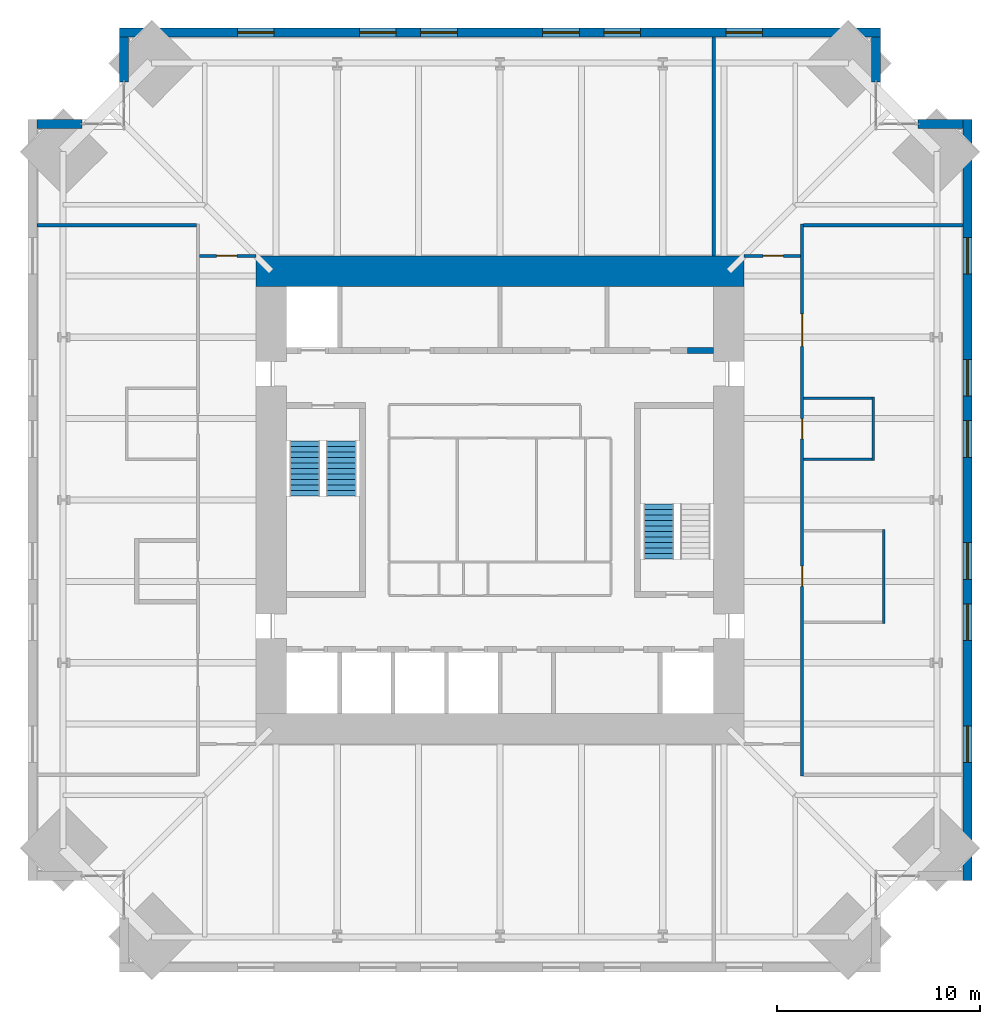
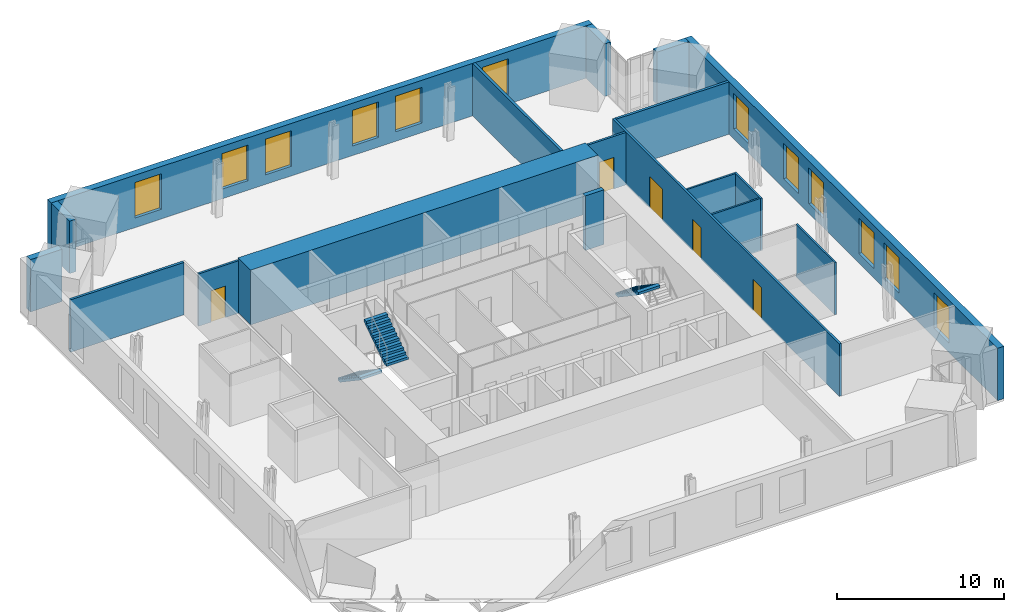
# One storey, part 13 of 15: 18 walls, 12 windows, 5 doors, 3 stair flights, 17 openings, 2 elements without a shape of their own.
"""IFC4 building model written with IfcOpenShell, lengths in metres."""

from ifc_helpers import new_model, si_unit, direction, frame, frame_2d, origin, place, context, subcontext, project, spatial, polyline, rectangle, outline, extrude, material, layer, layer_set, type_object, element, fill, aggregate, save


model = new_model("IFC4")

# Units and contexts
model_context = context("Model", 3, precision=1e-05, world=origin(), true_north=direction((0.0, 1.0)))
body_context = subcontext(model_context, "Body", "Model", "MODEL_VIEW")
ifc_project = project(units=[si_unit("LENGTHUNIT", "METRE"), si_unit("AREAUNIT", "SQUARE_METRE"), si_unit("VOLUMEUNIT", "CUBIC_METRE"), si_unit("PLANEANGLEUNIT", "RADIAN"), si_unit("MASSUNIT", "GRAM", prefix="KILO")], contexts=[model_context])

# Site, building, storey
site_placement = place(None, origin())
site = spatial("IfcSite", under=ifc_project, at=site_placement, CompositionType="ELEMENT")
building_placement = place(site_placement, origin())
building = spatial("IfcBuilding", under=site, at=building_placement, Name="Peilmerk Tower", CompositionType="ELEMENT")
storey_placement = place(building_placement, frame((0.0, 0.0, 233.800048828125)))
storey = spatial("IfcBuildingStorey", under=building, at=storey_placement, Name="L51", CompositionType="ELEMENT", Elevation=233.800048828125)

# Wall, openings, windows
ifc_material_1 = material(Name="Precast concrete C45/55, board-marked finish", Category="concrete")
ifc_layer_1 = layer(ifc_material_1, 0.449951171875)
ifc_layer_set_1 = layer_set([ifc_layer_1], Name="Precast concrete C45/55, board-marked finish")
wall_type_1 = type_object("IfcWallType", Name="EW1 450 precast concrete facade wall, board-marked", PredefinedType="SOLIDWALL", material=ifc_layer_set_1)
wall_1_placement = place(storey_placement, frame((18.699951171875, 22.97509765625, 0.0), z_axis=(0.0, 0.0, 1.0), x_axis=(-1.0, 0.0, 0.0)))
wall_1 = element("IfcWall", 1, at=wall_1_placement, inside=storey, type_object=wall_type_1, Name="Facade wall N L51", PredefinedType="SOLIDWALL", context=body_context, shape_type="SweptSolid", body=[
    extrude(rectangle(XDim=37.39990234375, YDim=0.449951171875, at=frame_2d((18.699951171875, 0.0))), origin(), (0.0, 0.0, 1.0), 3.829833984375),
])
opening_1_placement = place(wall_1_placement, frame((5.800048828125, 0.0, 0.699951171875)))
opening_1 = element("IfcOpeningElement", 2, at=opening_1_placement, cuts=wall_1, Name="Opening W1", PredefinedType="OPENING", context=body_context, shape_type="SweptSolid", body=[
    extrude(rectangle(XDim=1.800048828125, YDim=2.60009765625, at=frame_2d((0.89990234375, 1.300048828125))), frame((0.0, 0.23486328125, 0.0), z_axis=(0.0, -1.0, 0.0), x_axis=(1.0, 0.0, 0.0)), (0.0, 0.0, 1.0), 0.469970703125),
])
opening_2_placement = place(wall_1_placement, frame((11.800048828125, 0.0, 0.699951171875)))
opening_2 = element("IfcOpeningElement", 3, at=opening_2_placement, cuts=wall_1, Name="Opening W1", PredefinedType="OPENING", context=body_context, shape_type="SweptSolid", body=[
    extrude(rectangle(XDim=1.800048828125, YDim=2.60009765625, at=frame_2d((0.89990234375, 1.300048828125))), frame((0.0, 0.23486328125, 0.0), z_axis=(0.0, -1.0, 0.0), x_axis=(1.0, 0.0, 0.0)), (0.0, 0.0, 1.0), 0.469970703125),
])
opening_3_placement = place(wall_1_placement, frame((14.800048828125, 0.0, 0.699951171875)))
opening_3 = element("IfcOpeningElement", 4, at=opening_3_placement, cuts=wall_1, Name="Opening W1", PredefinedType="OPENING", context=body_context, shape_type="SweptSolid", body=[
    extrude(rectangle(XDim=1.800048828125, YDim=2.60009765625, at=frame_2d((0.89990234375, 1.300048828125))), frame((0.0, 0.23486328125, 0.0), z_axis=(0.0, -1.0, 0.0), x_axis=(1.0, 0.0, 0.0)), (0.0, 0.0, 1.0), 0.469970703125),
])
opening_4_placement = place(wall_1_placement, frame((20.800048828125, 0.0, 0.699951171875)))
opening_4 = element("IfcOpeningElement", 5, at=opening_4_placement, cuts=wall_1, Name="Opening W1", PredefinedType="OPENING", context=body_context, shape_type="SweptSolid", body=[
    extrude(rectangle(XDim=1.800048828125, YDim=2.60009765625, at=frame_2d((0.89990234375, 1.300048828125))), frame((0.0, 0.23486328125, 0.0), z_axis=(0.0, -1.0, 0.0), x_axis=(1.0, 0.0, 0.0)), (0.0, 0.0, 1.0), 0.469970703125),
])
opening_5_placement = place(wall_1_placement, frame((23.800048828125, 0.0, 0.699951171875)))
opening_5 = element("IfcOpeningElement", 6, at=opening_5_placement, cuts=wall_1, Name="Opening W1", PredefinedType="OPENING", context=body_context, shape_type="SweptSolid", body=[
    extrude(rectangle(XDim=1.800048828125, YDim=2.60009765625, at=frame_2d((0.89990234375, 1.300048828125))), frame((0.0, 0.23486328125, 0.0), z_axis=(0.0, -1.0, 0.0), x_axis=(1.0, 0.0, 0.0)), (0.0, 0.0, 1.0), 0.469970703125),
])
opening_6_placement = place(wall_1_placement, frame((29.800048828125, 0.0, 0.699951171875)))
opening_6 = element("IfcOpeningElement", 7, at=opening_6_placement, cuts=wall_1, Name="Opening W1", PredefinedType="OPENING", context=body_context, shape_type="SweptSolid", body=[
    extrude(rectangle(XDim=1.800048828125, YDim=2.60009765625, at=frame_2d((0.89990234375, 1.300048828125))), frame((0.0, 0.23486328125, 0.0), z_axis=(0.0, -1.0, 0.0), x_axis=(1.0, 0.0, 0.0)), (0.0, 0.0, 1.0), 0.469970703125),
])
ifc_material_2 = material(Name="Aluminium frame, clear double glazing", Category="aluminium")
window_type = type_object("IfcWindowType", Name="W1 1800x2600 office window", PartitioningType="SINGLE_PANEL", PredefinedType="WINDOW", material=ifc_material_2)
window_1_placement = place(opening_1_placement, origin())
window_1 = element("IfcWindow", 8, at=window_1_placement, inside=storey, type_object=window_type, Name="Window W1 L51", OverallHeight=2.60009765625, OverallWidth=1.800048828125, PartitioningType="SINGLE_PANEL", PredefinedType="WINDOW", context=body_context, shape_type="SweptSolid", body=[
    extrude(rectangle(XDim=1.800048828125, YDim=2.60009765625, at=frame_2d((0.89990234375, 1.300048828125))), frame((0.0, 0.030029296875, 0.0), z_axis=(0.0, -1.0, 0.0), x_axis=(1.0, 0.0, 0.0)), (0.0, 0.0, 1.0), 0.06005859375),
])
fill(opening_1, window_1)
window_2_placement = place(opening_2_placement, origin())
window_2 = element("IfcWindow", 9, at=window_2_placement, inside=storey, type_object=window_type, Name="Window W1 L51", OverallHeight=2.60009765625, OverallWidth=1.800048828125, PartitioningType="SINGLE_PANEL", PredefinedType="WINDOW", context=body_context, shape_type="SweptSolid", body=[
    extrude(rectangle(XDim=1.800048828125, YDim=2.60009765625, at=frame_2d((0.89990234375, 1.300048828125))), frame((0.0, 0.030029296875, 0.0), z_axis=(0.0, -1.0, 0.0), x_axis=(1.0, 0.0, 0.0)), (0.0, 0.0, 1.0), 0.06005859375),
])
fill(opening_2, window_2)
window_3_placement = place(opening_3_placement, origin())
window_3 = element("IfcWindow", 10, at=window_3_placement, inside=storey, type_object=window_type, Name="Window W1 L51", OverallHeight=2.60009765625, OverallWidth=1.800048828125, PartitioningType="SINGLE_PANEL", PredefinedType="WINDOW", context=body_context, shape_type="SweptSolid", body=[
    extrude(rectangle(XDim=1.800048828125, YDim=2.60009765625, at=frame_2d((0.89990234375, 1.300048828125))), frame((0.0, 0.030029296875, 0.0), z_axis=(0.0, -1.0, 0.0), x_axis=(1.0, 0.0, 0.0)), (0.0, 0.0, 1.0), 0.06005859375),
])
fill(opening_3, window_3)
window_4_placement = place(opening_4_placement, origin())
window_4 = element("IfcWindow", 11, at=window_4_placement, inside=storey, type_object=window_type, Name="Window W1 L51", OverallHeight=2.60009765625, OverallWidth=1.800048828125, PartitioningType="SINGLE_PANEL", PredefinedType="WINDOW", context=body_context, shape_type="SweptSolid", body=[
    extrude(rectangle(XDim=1.800048828125, YDim=2.60009765625, at=frame_2d((0.89990234375, 1.300048828125))), frame((0.0, 0.030029296875, 0.0), z_axis=(0.0, -1.0, 0.0), x_axis=(1.0, 0.0, 0.0)), (0.0, 0.0, 1.0), 0.06005859375),
])
fill(opening_4, window_4)
window_5_placement = place(opening_5_placement, origin())
window_5 = element("IfcWindow", 12, at=window_5_placement, inside=storey, type_object=window_type, Name="Window W1 L51", OverallHeight=2.60009765625, OverallWidth=1.800048828125, PartitioningType="SINGLE_PANEL", PredefinedType="WINDOW", context=body_context, shape_type="SweptSolid", body=[
    extrude(rectangle(XDim=1.800048828125, YDim=2.60009765625, at=frame_2d((0.89990234375, 1.300048828125))), frame((0.0, 0.030029296875, 0.0), z_axis=(0.0, -1.0, 0.0), x_axis=(1.0, 0.0, 0.0)), (0.0, 0.0, 1.0), 0.06005859375),
])
fill(opening_5, window_5)
window_6_placement = place(opening_6_placement, origin())
window_6 = element("IfcWindow", 13, at=window_6_placement, inside=storey, type_object=window_type, Name="Window W1 L51", OverallHeight=2.60009765625, OverallWidth=1.800048828125, PartitioningType="SINGLE_PANEL", PredefinedType="WINDOW", context=body_context, shape_type="SweptSolid", body=[
    extrude(rectangle(XDim=1.800048828125, YDim=2.60009765625, at=frame_2d((0.89990234375, 1.300048828125))), frame((0.0, 0.030029296875, 0.0), z_axis=(0.0, -1.0, 0.0), x_axis=(1.0, 0.0, 0.0)), (0.0, 0.0, 1.0), 0.06005859375),
])
fill(opening_6, window_6)

wall_2_placement = place(storey_placement, frame((22.97509765625, -18.699951171875, 0.0), z_axis=(0.0, 0.0, 1.0), x_axis=(0.0, 1.0, 0.0)))
wall_2 = element("IfcWall", 14, at=wall_2_placement, inside=storey, type_object=wall_type_1, Name="Facade wall E L51", PredefinedType="SOLIDWALL", context=body_context, shape_type="SweptSolid", body=[
    extrude(rectangle(XDim=37.39990234375, YDim=0.449951171875, at=frame_2d((18.699951171875, 0.0))), origin(), (0.0, 0.0, 1.0), 3.829833984375),
])
opening_7_placement = place(wall_2_placement, frame((5.800048828125, 0.0, 0.699951171875)))
opening_7 = element("IfcOpeningElement", 15, at=opening_7_placement, cuts=wall_2, Name="Opening W1", PredefinedType="OPENING", context=body_context, shape_type="SweptSolid", body=[
    extrude(rectangle(XDim=1.800048828125, YDim=2.60009765625, at=frame_2d((0.89990234375, 1.300048828125))), frame((0.0, 0.23486328125, 0.0), z_axis=(0.0, -1.0, 0.0), x_axis=(1.0, 0.0, 0.0)), (0.0, 0.0, 1.0), 0.469970703125),
])
opening_8_placement = place(wall_2_placement, frame((11.800048828125, 0.0, 0.699951171875)))
opening_8 = element("IfcOpeningElement", 16, at=opening_8_placement, cuts=wall_2, Name="Opening W1", PredefinedType="OPENING", context=body_context, shape_type="SweptSolid", body=[
    extrude(rectangle(XDim=1.800048828125, YDim=2.60009765625, at=frame_2d((0.89990234375, 1.300048828125))), frame((0.0, 0.23486328125, 0.0), z_axis=(0.0, -1.0, 0.0), x_axis=(1.0, 0.0, 0.0)), (0.0, 0.0, 1.0), 0.469970703125),
])
opening_9_placement = place(wall_2_placement, frame((14.800048828125, 0.0, 0.699951171875)))
opening_9 = element("IfcOpeningElement", 17, at=opening_9_placement, cuts=wall_2, Name="Opening W1", PredefinedType="OPENING", context=body_context, shape_type="SweptSolid", body=[
    extrude(rectangle(XDim=1.800048828125, YDim=2.60009765625, at=frame_2d((0.89990234375, 1.300048828125))), frame((0.0, 0.23486328125, 0.0), z_axis=(0.0, -1.0, 0.0), x_axis=(1.0, 0.0, 0.0)), (0.0, 0.0, 1.0), 0.469970703125),
])
opening_10_placement = place(wall_2_placement, frame((20.800048828125, 0.0, 0.699951171875)))
opening_10 = element("IfcOpeningElement", 18, at=opening_10_placement, cuts=wall_2, Name="Opening W1", PredefinedType="OPENING", context=body_context, shape_type="SweptSolid", body=[
    extrude(rectangle(XDim=1.800048828125, YDim=2.60009765625, at=frame_2d((0.89990234375, 1.300048828125))), frame((0.0, 0.23486328125, 0.0), z_axis=(0.0, -1.0, 0.0), x_axis=(1.0, 0.0, 0.0)), (0.0, 0.0, 1.0), 0.469970703125),
])
opening_11_placement = place(wall_2_placement, frame((23.800048828125, 0.0, 0.699951171875)))
opening_11 = element("IfcOpeningElement", 19, at=opening_11_placement, cuts=wall_2, Name="Opening W1", PredefinedType="OPENING", context=body_context, shape_type="SweptSolid", body=[
    extrude(rectangle(XDim=1.800048828125, YDim=2.60009765625, at=frame_2d((0.89990234375, 1.300048828125))), frame((0.0, 0.23486328125, 0.0), z_axis=(0.0, -1.0, 0.0), x_axis=(1.0, 0.0, 0.0)), (0.0, 0.0, 1.0), 0.469970703125),
])
opening_12_placement = place(wall_2_placement, frame((29.800048828125, 0.0, 0.699951171875)))
opening_12 = element("IfcOpeningElement", 20, at=opening_12_placement, cuts=wall_2, Name="Opening W1", PredefinedType="OPENING", context=body_context, shape_type="SweptSolid", body=[
    extrude(rectangle(XDim=1.800048828125, YDim=2.60009765625, at=frame_2d((0.89990234375, 1.300048828125))), frame((0.0, 0.23486328125, 0.0), z_axis=(0.0, -1.0, 0.0), x_axis=(1.0, 0.0, 0.0)), (0.0, 0.0, 1.0), 0.469970703125),
])
window_7_placement = place(opening_7_placement, origin())
window_7 = element("IfcWindow", 21, at=window_7_placement, inside=storey, type_object=window_type, Name="Window W1 L51", OverallHeight=2.60009765625, OverallWidth=1.800048828125, PartitioningType="SINGLE_PANEL", PredefinedType="WINDOW", context=body_context, shape_type="SweptSolid", body=[
    extrude(rectangle(XDim=1.800048828125, YDim=2.60009765625, at=frame_2d((0.89990234375, 1.300048828125))), frame((0.0, 0.030029296875, 0.0), z_axis=(0.0, -1.0, 0.0), x_axis=(1.0, 0.0, 0.0)), (0.0, 0.0, 1.0), 0.06005859375),
])
fill(opening_7, window_7)
window_8_placement = place(opening_8_placement, origin())
window_8 = element("IfcWindow", 22, at=window_8_placement, inside=storey, type_object=window_type, Name="Window W1 L51", OverallHeight=2.60009765625, OverallWidth=1.800048828125, PartitioningType="SINGLE_PANEL", PredefinedType="WINDOW", context=body_context, shape_type="SweptSolid", body=[
    extrude(rectangle(XDim=1.800048828125, YDim=2.60009765625, at=frame_2d((0.89990234375, 1.300048828125))), frame((0.0, 0.030029296875, 0.0), z_axis=(0.0, -1.0, 0.0), x_axis=(1.0, 0.0, 0.0)), (0.0, 0.0, 1.0), 0.06005859375),
])
fill(opening_8, window_8)
window_9_placement = place(opening_9_placement, origin())
window_9 = element("IfcWindow", 23, at=window_9_placement, inside=storey, type_object=window_type, Name="Window W1 L51", OverallHeight=2.60009765625, OverallWidth=1.800048828125, PartitioningType="SINGLE_PANEL", PredefinedType="WINDOW", context=body_context, shape_type="SweptSolid", body=[
    extrude(rectangle(XDim=1.800048828125, YDim=2.60009765625, at=frame_2d((0.89990234375, 1.300048828125))), frame((0.0, 0.030029296875, 0.0), z_axis=(0.0, -1.0, 0.0), x_axis=(1.0, 0.0, 0.0)), (0.0, 0.0, 1.0), 0.06005859375),
])
fill(opening_9, window_9)
window_10_placement = place(opening_10_placement, origin())
window_10 = element("IfcWindow", 24, at=window_10_placement, inside=storey, type_object=window_type, Name="Window W1 L51", OverallHeight=2.60009765625, OverallWidth=1.800048828125, PartitioningType="SINGLE_PANEL", PredefinedType="WINDOW", context=body_context, shape_type="SweptSolid", body=[
    extrude(rectangle(XDim=1.800048828125, YDim=2.60009765625, at=frame_2d((0.89990234375, 1.300048828125))), frame((0.0, 0.030029296875, 0.0), z_axis=(0.0, -1.0, 0.0), x_axis=(1.0, 0.0, 0.0)), (0.0, 0.0, 1.0), 0.06005859375),
])
fill(opening_10, window_10)
window_11_placement = place(opening_11_placement, origin())
window_11 = element("IfcWindow", 25, at=window_11_placement, inside=storey, type_object=window_type, Name="Window W1 L51", OverallHeight=2.60009765625, OverallWidth=1.800048828125, PartitioningType="SINGLE_PANEL", PredefinedType="WINDOW", context=body_context, shape_type="SweptSolid", body=[
    extrude(rectangle(XDim=1.800048828125, YDim=2.60009765625, at=frame_2d((0.89990234375, 1.300048828125))), frame((0.0, 0.030029296875, 0.0), z_axis=(0.0, -1.0, 0.0), x_axis=(1.0, 0.0, 0.0)), (0.0, 0.0, 1.0), 0.06005859375),
])
fill(opening_11, window_11)
window_12_placement = place(opening_12_placement, origin())
window_12 = element("IfcWindow", 26, at=window_12_placement, inside=storey, type_object=window_type, Name="Window W1 L51", OverallHeight=2.60009765625, OverallWidth=1.800048828125, PartitioningType="SINGLE_PANEL", PredefinedType="WINDOW", context=body_context, shape_type="SweptSolid", body=[
    extrude(rectangle(XDim=1.800048828125, YDim=2.60009765625, at=frame_2d((0.89990234375, 1.300048828125))), frame((0.0, 0.030029296875, 0.0), z_axis=(0.0, -1.0, 0.0), x_axis=(1.0, 0.0, 0.0)), (0.0, 0.0, 1.0), 0.06005859375),
])
fill(opening_12, window_12)

# Walls
for number, where, z_axis, x_axis, name in (
    (27, (18.47509765625, 20.5537109375, 0.0), (0.0, 0.0, 1.0), (0.0, 1.0, 0.0), "Facade wall NEA L51"),
    (28, (20.5537109375, 18.47509765625, 0.0), (0.0, 0.0, 1.0), (1.0, 0.0, 0.0), "Facade wall NEB L51"),
    (29, (-18.47509765625, 20.5537109375, 0.0), (0.0, 0.0, 1.0), (0.0, 1.0, 0.0), "Facade wall NWA L51"),
    (30, (-20.5537109375, 18.47509765625, 0.0), (0.0, 0.0, 1.0), (-1.0, 0.0, 0.0), "Facade wall NWB L51"),
):
    element("IfcWall", number, at=place(storey_placement, frame(where, z_axis=z_axis, x_axis=x_axis)), inside=storey, type_object=wall_type_1, Name=name, PredefinedType="SOLIDWALL", context=body_context, shape_type="SweptSolid", body=[
        extrude(rectangle(XDim=2.1962890625, YDim=0.449951171875, at=frame_2d((1.09814453125, 0.0))), origin(), (0.0, 0.0, 1.0), 3.829833984375),
    ])

# Wall, openings, doors
ifc_material_3 = material(Name="Calcium silicate block", Category="masonry")
ifc_layer_2 = layer(ifc_material_3, 0.14990234375)
ifc_layer_set_2 = layer_set([ifc_layer_2], Name="Calcium silicate block")
wall_type_2 = type_object("IfcWallType", Name="IW1 150 corridor partition, EI 60", PredefinedType="PARTITIONING", material=ifc_layer_set_2)
wall_3_placement = place(storey_placement, frame((14.85009765625, -13.574951171875, 0.0), z_axis=(0.0, 0.0, 1.0), x_axis=(0.0, 1.0, 0.0)))
wall_3 = element("IfcWall", 31, at=wall_3_placement, inside=storey, type_object=wall_type_2, Name="Corridor wall E L51", PredefinedType="PARTITIONING", context=body_context, shape_type="SweptSolid", body=[
    extrude(rectangle(XDim=27.14990234375, YDim=0.14990234375, at=frame_2d((13.574951171875, 0.0))), origin(), (0.0, 0.0, 1.0), 3.829833984375),
])
opening_13_placement = place(wall_3_placement, frame((21.125, 0.0, 0.0)))
opening_13 = element("IfcOpeningElement", 32, at=opening_13_placement, cuts=wall_3, Name="Opening D9", PredefinedType="OPENING", context=body_context, shape_type="SweptSolid", body=[
    extrude(rectangle(XDim=1.60009765625, YDim=2.300048828125, at=frame_2d((0.800048828125, 1.14990234375))), frame((0.0, 0.0849609375, 0.0), z_axis=(0.0, -1.0, 0.0), x_axis=(1.0, 0.0, 0.0)), (0.0, 0.0, 1.0), 0.169921875),
])
opening_14_placement = place(wall_3_placement, frame((9.324951171875, 0.0, 0.0)))
opening_14 = element("IfcOpeningElement", 33, at=opening_14_placement, cuts=wall_3, Name="Opening D1", PredefinedType="OPENING", context=body_context, shape_type="SweptSolid", body=[
    extrude(rectangle(XDim=1.0, YDim=2.300048828125, at=frame_2d((0.5, 1.14990234375))), frame((0.0, 0.0849609375, 0.0), z_axis=(0.0, -1.0, 0.0), x_axis=(1.0, 0.0, 0.0)), (0.0, 0.0, 1.0), 0.169921875),
])
opening_15_placement = place(wall_3_placement, frame((16.574951171875, 0.0, 0.0)))
opening_15 = element("IfcOpeningElement", 34, at=opening_15_placement, cuts=wall_3, Name="Opening D1", PredefinedType="OPENING", context=body_context, shape_type="SweptSolid", body=[
    extrude(rectangle(XDim=1.0, YDim=2.300048828125, at=frame_2d((0.5, 1.14990234375))), frame((0.0, 0.0849609375, 0.0), z_axis=(0.0, -1.0, 0.0), x_axis=(1.0, 0.0, 0.0)), (0.0, 0.0, 1.0), 0.169921875),
])
ifc_material_4 = material(Name="Timber door in steel frame", Category="steel")
door_type_1 = type_object("IfcDoorType", Name="D1 1000x2300 room door, EI2 30", OperationType="SINGLE_SWING_LEFT", PredefinedType="DOOR", material=ifc_material_4)
door_1_placement = place(opening_14_placement, frame((1.0, 0.0, 0.0), z_axis=(0.0, 0.0, 1.0), x_axis=(-1.0, 0.0, 0.0)))
door_1 = element("IfcDoor", 35, at=door_1_placement, inside=storey, type_object=door_type_1, Name="Door Meeting room L51", OperationType="SINGLE_SWING_LEFT", OverallHeight=2.300048828125, OverallWidth=1.0, PredefinedType="DOOR", context=body_context, shape_type="SweptSolid", body=[
    extrude(rectangle(XDim=1.0, YDim=2.300048828125, at=frame_2d((0.5, 1.14990234375))), frame((0.0, 0.02490234375, 0.0), z_axis=(0.0, -1.0, 0.0), x_axis=(1.0, 0.0, 0.0)), (0.0, 0.0, 1.0), 0.050048828125),
])
fill(opening_14, door_1)
door_2_placement = place(opening_15_placement, frame((1.0, 0.0, 0.0), z_axis=(0.0, 0.0, 1.0), x_axis=(-1.0, 0.0, 0.0)))
door_2 = element("IfcDoor", 36, at=door_2_placement, inside=storey, type_object=door_type_1, Name="Door Focus room L51", OperationType="SINGLE_SWING_LEFT", OverallHeight=2.300048828125, OverallWidth=1.0, PredefinedType="DOOR", context=body_context, shape_type="SweptSolid", body=[
    extrude(rectangle(XDim=1.0, YDim=2.300048828125, at=frame_2d((0.5, 1.14990234375))), frame((0.0, 0.02490234375, 0.0), z_axis=(0.0, -1.0, 0.0), x_axis=(1.0, 0.0, 0.0)), (0.0, 0.0, 1.0), 0.050048828125),
])
fill(opening_15, door_2)
ifc_material_5 = material(Name="Glazed timber door in steel frame", Category="steel")
door_type_2 = type_object("IfcDoorType", Name="D9 1600x2300 glazed double door, EI2 30", OperationType="DOUBLE_DOOR_SINGLE_SWING", PredefinedType="DOOR", material=ifc_material_5)
door_3_placement = place(opening_13_placement, frame((1.60009765625, 0.0, 0.0), z_axis=(0.0, 0.0, 1.0), x_axis=(-1.0, 0.0, 0.0)))
door_3 = element("IfcDoor", 37, at=door_3_placement, inside=storey, type_object=door_type_2, Name="Door Open workspace L51", OperationType="DOUBLE_DOOR_SINGLE_SWING", OverallHeight=2.300048828125, OverallWidth=1.60009765625, PredefinedType="DOOR", context=body_context, shape_type="SweptSolid", body=[
    extrude(rectangle(XDim=1.60009765625, YDim=2.300048828125, at=frame_2d((0.800048828125, 1.14990234375))), frame((0.0, 0.02490234375, 0.0), z_axis=(0.0, -1.0, 0.0), x_axis=(1.0, 0.0, 0.0)), (0.0, 0.0, 1.0), 0.050048828125),
])
fill(opening_13, door_3)

# Wall, opening, door
wall_4_placement = place(storey_placement, frame((12.0, 12.0, 0.0), z_axis=(0.0, 0.0, 1.0), x_axis=(1.0, 0.0, 0.0)))
wall_4 = element("IfcWall", 38, at=wall_4_placement, inside=storey, type_object=wall_type_2, Name="Corridor wall NE L51", PredefinedType="PARTITIONING", context=body_context, shape_type="SweptSolid", body=[
    extrude(rectangle(XDim=2.77490234375, YDim=0.14990234375, at=frame_2d((1.387451171875, 0.0))), origin(), (0.0, 0.0, 1.0), 3.829833984375),
])
opening_16_placement = place(wall_4_placement, frame((0.925048828125, 0.0, 0.0)))
opening_16 = element("IfcOpeningElement", 39, at=opening_16_placement, cuts=wall_4, Name="Opening D1", PredefinedType="OPENING", context=body_context, shape_type="SweptSolid", body=[
    extrude(rectangle(XDim=1.0, YDim=2.300048828125, at=frame_2d((0.5, 1.14990234375))), frame((0.0, 0.0849609375, 0.0), z_axis=(0.0, -1.0, 0.0), x_axis=(1.0, 0.0, 0.0)), (0.0, 0.0, 1.0), 0.169921875),
])
door_4_placement = place(opening_16_placement, origin())
door_4 = element("IfcDoor", 40, at=door_4_placement, inside=storey, type_object=door_type_1, Name="Door Open workspace L51", OperationType="SINGLE_SWING_LEFT", OverallHeight=2.300048828125, OverallWidth=1.0, PredefinedType="DOOR", context=body_context, shape_type="SweptSolid", body=[
    extrude(rectangle(XDim=1.0, YDim=2.300048828125, at=frame_2d((0.5, 1.14990234375))), frame((0.0, 0.02490234375, 0.0), z_axis=(0.0, -1.0, 0.0), x_axis=(1.0, 0.0, 0.0)), (0.0, 0.0, 1.0), 0.050048828125),
])
fill(opening_16, door_4)

wall_5_placement = place(storey_placement, frame((-14.77490234375, 12.0, 0.0), z_axis=(0.0, 0.0, 1.0), x_axis=(1.0, 0.0, 0.0)))
wall_5 = element("IfcWall", 41, at=wall_5_placement, inside=storey, type_object=wall_type_2, Name="Corridor wall NW L51", PredefinedType="PARTITIONING", context=body_context, shape_type="SweptSolid", body=[
    extrude(rectangle(XDim=2.77490234375, YDim=0.14990234375, at=frame_2d((1.387451171875, 0.0))), origin(), (0.0, 0.0, 1.0), 3.829833984375),
])
opening_17_placement = place(wall_5_placement, frame((0.85009765625, 0.0, 0.0)))
opening_17 = element("IfcOpeningElement", 42, at=opening_17_placement, cuts=wall_5, Name="Opening D1", PredefinedType="OPENING", context=body_context, shape_type="SweptSolid", body=[
    extrude(rectangle(XDim=1.0, YDim=2.300048828125, at=frame_2d((0.5, 1.14990234375))), frame((0.0, 0.0849609375, 0.0), z_axis=(0.0, -1.0, 0.0), x_axis=(1.0, 0.0, 0.0)), (0.0, 0.0, 1.0), 0.169921875),
])
door_5_placement = place(opening_17_placement, origin())
door_5 = element("IfcDoor", 43, at=door_5_placement, inside=storey, type_object=door_type_1, Name="Door Project room L51", OperationType="SINGLE_SWING_LEFT", OverallHeight=2.300048828125, OverallWidth=1.0, PredefinedType="DOOR", context=body_context, shape_type="SweptSolid", body=[
    extrude(rectangle(XDim=1.0, YDim=2.300048828125, at=frame_2d((0.5, 1.14990234375))), frame((0.0, 0.02490234375, 0.0), z_axis=(0.0, -1.0, 0.0), x_axis=(1.0, 0.0, 0.0)), (0.0, 0.0, 1.0), 0.050048828125),
])
fill(opening_17, door_5)

# Walls
ifc_material_6 = material(Name="Plasterboard on steel studs, double boarded with mineral wool", Category="steel")
ifc_layer_3 = layer(ifc_material_6, 0.125)
ifc_layer_set_3 = layer_set([ifc_layer_3], Name="Plasterboard on steel studs, double boarded with mineral wool")
wall_type_3 = type_object("IfcWallType", Name="IW7 125 acoustic partition, EI 30", PredefinedType="PARTITIONING", material=ifc_layer_set_3)
wall_6_placement = place(storey_placement, frame((18.85009765625, -6.0625, 0.0), z_axis=(0.0, 0.0, 1.0), x_axis=(0.0, 1.0, 0.0)))
element("IfcWall", 44, at=wall_6_placement, inside=storey, type_object=wall_type_3, Name="Acoustic partition Meeting room L51", PredefinedType="PARTITIONING", context=body_context, shape_type="SweptSolid", body=[
    extrude(rectangle(XDim=4.625, YDim=0.125, at=frame_2d((2.3125, 0.0))), origin(), (0.0, 0.0, 1.0), 3.829833984375),
])
wall_7_placement = place(storey_placement, frame((18.35009765625, 1.9375, 0.0), z_axis=(0.0, 0.0, 1.0), x_axis=(0.0, 1.0, 0.0)))
element("IfcWall", 45, at=wall_7_placement, inside=storey, type_object=wall_type_3, Name="Acoustic partition Focus room L51", PredefinedType="PARTITIONING", context=body_context, shape_type="SweptSolid", body=[
    extrude(rectangle(XDim=3.125, YDim=0.125, at=frame_2d((1.5625, 0.0))), origin(), (0.0, 0.0, 1.0), 3.829833984375),
])
for number, where, z_axis, x_axis, name in (
    (46, (14.925048828125, 2.0, 0.0), (0.0, 0.0, 1.0), (1.0, 0.0, 0.0), "Acoustic partition Focus room L51"),
    (47, (14.925048828125, 5.0, 0.0), (0.0, 0.0, 1.0), (1.0, 0.0, 0.0), "Acoustic partition Focus room L51"),
):
    element("IfcWall", number, at=place(storey_placement, frame(where, z_axis=z_axis, x_axis=x_axis)), inside=storey, type_object=wall_type_3, Name=name, PredefinedType="PARTITIONING", context=body_context, shape_type="SweptSolid", body=[
        extrude(rectangle(XDim=3.362548828125, YDim=0.125, at=frame_2d((1.68115234375, 0.0))), origin(), (0.0, 0.0, 1.0), 3.829833984375),
    ])
ifc_layer_4 = layer(ifc_material_3, 0.175048828125)
ifc_layer_set_4 = layer_set([ifc_layer_4], Name="Calcium silicate block")
wall_type_4 = type_object("IfcWallType", Name="IW8 175 tenant separating wall, EI 60", PredefinedType="PARTITIONING", material=ifc_layer_set_4)
for number, where, z_axis, x_axis, name in (
    (48, (14.925048828125, 13.5, 0.0), (0.0, 0.0, 1.0), (1.0, 0.0, 0.0), "Tenant separating wall NE L51"),
    (49, (-22.75, 13.5, 0.0), (0.0, 0.0, 1.0), (1.0, 0.0, 0.0), "Tenant separating wall NW L51"),
):
    element("IfcWall", number, at=place(storey_placement, frame(where, z_axis=z_axis, x_axis=x_axis)), inside=storey, type_object=wall_type_4, Name=name, PredefinedType="PARTITIONING", context=body_context, shape_type="SweptSolid", body=[
        extrude(rectangle(XDim=7.824951171875, YDim=0.175048828125, at=frame_2d((3.91259765625, 0.0))), origin(), (0.0, 0.0, 1.0), 3.829833984375),
    ])
wall_8_placement = place(storey_placement, frame((10.5, 12.0, 0.0), z_axis=(0.0, 0.0, 1.0), x_axis=(0.0, 1.0, 0.0)))
element("IfcWall", 50, at=wall_8_placement, inside=storey, type_object=wall_type_4, Name="Tenant separating wall N1 L51", PredefinedType="PARTITIONING", context=body_context, shape_type="SweptSolid", body=[
    extrude(rectangle(XDim=10.75, YDim=0.175048828125, at=frame_2d((5.375, 0.0))), origin(), (0.0, 0.0, 1.0), 3.829833984375),
])
ifc_material_7 = material(Name="Concrete C55/67", Category="concrete")
ifc_layer_5 = layer(ifc_material_7, 1.5)
ifc_layer_set_5 = layer_set([ifc_layer_5], Name="Concrete C55/67")
wall_type_5 = type_object("IfcWallType", Name="SW1 1500 core wall", PredefinedType="SHEAR", material=ifc_layer_set_5)
wall_9_placement = place(storey_placement, frame((-12.0, 11.25, 0.0), z_axis=(0.0, 0.0, 1.0), x_axis=(1.0, 0.0, 0.0)))
element("IfcWall", 51, at=wall_9_placement, inside=storey, type_object=wall_type_5, Name="Core wall N L51", PredefinedType="SHEAR", context=body_context, shape_type="SweptSolid", body=[
    extrude(rectangle(XDim=24.0, YDim=1.5, at=frame_2d((12.0, 0.0))), origin(), (0.0, 0.0, 1.0), 4.0),
])
ifc_layer_6 = layer(ifc_material_7, 0.300048828125)
ifc_layer_set_6 = layer_set([ifc_layer_6], Name="Concrete C55/67")
wall_type_6 = type_object("IfcWallType", Name="SW2 300 lift bank pier", PredefinedType="SHEAR", material=ifc_layer_set_6)
wall_10_placement = place(storey_placement, frame((9.22509765625, 7.35009765625, 0.0), z_axis=(0.0, 0.0, 1.0), x_axis=(1.0, 0.0, 0.0)))
element("IfcWall", 52, at=wall_10_placement, inside=storey, type_object=wall_type_6, Name="Lift bank pier N L51", PredefinedType="SHEAR", context=body_context, shape_type="SweptSolid", body=[
    extrude(rectangle(XDim=1.27490234375, YDim=0.300048828125, at=frame_2d((0.637451171875, 0.0))), origin(), (0.0, 0.0, 1.0), 4.0),
])

# Stair, stair flights
ifc_material_8 = material(Name="Precast concrete C45/55", Category="concrete")
stair_type_1 = type_object("IfcStairType", Name="ST1 22 risers of 181.8", PredefinedType="HALF_TURN_STAIR", material=ifc_material_8)
stair_1_placement = place(storey_placement, origin())
stair_1 = element("IfcStair", 53, at=stair_1_placement, inside=storey, type_object=stair_type_1, Name="Stair 1 L51 to L52", PredefinedType="HALF_TURN_STAIR")
stair_flight_type = type_object("IfcStairFlightType", Name="SF11 flight, 11 risers of 181.8", PredefinedType="STRAIGHT", material=ifc_material_8)
stair_flight_1_placement = place(storey_placement, frame((-9.60009765625, 2.89990234375, 0.0), z_axis=(0.0, 0.0, 1.0), x_axis=(0.0, -1.0, 0.0)))
stair_flight_1 = element("IfcStairFlight", 54, at=stair_flight_1_placement, type_object=stair_flight_type, Name="ST1 flight 1", NumberOfRisers=11, NumberOfTreads=10, PredefinedType="STRAIGHT", RiserHeight=0.181818182, TreadLength=0.27, context=body_context, shape_type="SweptSolid", body=[
    extrude(outline(polyline([(0.0, 0.0), (0.0, 0.181884765625), (0.27001953125, 0.181884765625), (0.27001953125, 0.363525390625), (0.5400390625, 0.363525390625), (0.5400390625, 0.54541015625), (0.81005859375, 0.54541015625), (0.81005859375, 0.727294921875), (1.080078125, 0.727294921875), (1.080078125, 0.9091796875), (1.35009765625, 0.9091796875), (1.35009765625, 1.0908203125), (1.6201171875, 1.0908203125), (1.6201171875, 1.272705078125), (1.889892578125, 1.272705078125), (1.889892578125, 1.45458984375), (2.159912109375, 1.45458984375), (2.159912109375, 1.636474609375), (2.429931640625, 1.636474609375), (2.429931640625, 1.818115234375), (2.699951171875, 1.818115234375), (2.699951171875, 2.0), (2.699951171875, 1.637451171875), (0.268310546875, 0.0), (0.0, 0.0)])), frame((0.0, 0.75, 0.0), z_axis=(0.0, -1.0, 0.0), x_axis=(1.0, 0.0, 0.0)), (0.0, 0.0, 1.0), 1.5),
])
stair_flight_2_placement = place(storey_placement, frame((-7.800048828125, 0.199951171875, 2.0), z_axis=(0.0, 0.0, 1.0), x_axis=(0.0, 1.0, 0.0)))
stair_flight_2 = element("IfcStairFlight", 55, at=stair_flight_2_placement, type_object=stair_flight_type, Name="ST1 flight 2", NumberOfRisers=11, NumberOfTreads=10, PredefinedType="STRAIGHT", RiserHeight=0.181818182, TreadLength=0.27, context=body_context, shape_type="SweptSolid", body=[
    extrude(outline(polyline([(0.0, 0.0), (0.0, 0.181884765625), (0.27001953125, 0.181884765625), (0.27001953125, 0.363525390625), (0.5400390625, 0.363525390625), (0.5400390625, 0.54541015625), (0.81005859375, 0.54541015625), (0.81005859375, 0.727294921875), (1.080078125, 0.727294921875), (1.080078125, 0.9091796875), (1.35009765625, 0.9091796875), (1.35009765625, 1.0908203125), (1.6201171875, 1.0908203125), (1.6201171875, 1.272705078125), (1.889892578125, 1.272705078125), (1.889892578125, 1.45458984375), (2.159912109375, 1.45458984375), (2.159912109375, 1.636474609375), (2.429931640625, 1.636474609375), (2.429931640625, 1.818115234375), (2.699951171875, 1.818115234375), (2.699951171875, 2.0), (2.699951171875, 1.637451171875), (0.268310546875, 0.0), (0.0, 0.0)])), frame((0.0, 0.75, 0.0), z_axis=(0.0, -1.0, 0.0), x_axis=(1.0, 0.0, 0.0)), (0.0, 0.0, 1.0), 1.5),
])
aggregate(stair_1, [stair_flight_1, stair_flight_2])

# Stair, stair flight
stair_type_2 = type_object("IfcStairType", Name="ST2 22 risers of 181.8", PredefinedType="HALF_TURN_STAIR", material=ifc_material_8)
stair_2_placement = place(storey_placement, origin())
stair_2 = element("IfcStair", 56, at=stair_2_placement, inside=storey, type_object=stair_type_2, Name="Stair 2 L51 to L52", PredefinedType="HALF_TURN_STAIR")
stair_flight_3_placement = place(storey_placement, frame((7.800048828125, -0.199951171875, 2.0), z_axis=(0.0, 0.0, 1.0), x_axis=(0.0, -1.0, 0.0)))
stair_flight_3 = element("IfcStairFlight", 57, at=stair_flight_3_placement, type_object=stair_flight_type, Name="ST2 flight 2", NumberOfRisers=11, NumberOfTreads=10, PredefinedType="STRAIGHT", RiserHeight=0.181818182, TreadLength=0.27, context=body_context, shape_type="SweptSolid", body=[
    extrude(outline(polyline([(0.0, 0.0), (0.0, 0.181884765625), (0.27001953125, 0.181884765625), (0.27001953125, 0.363525390625), (0.5400390625, 0.363525390625), (0.5400390625, 0.54541015625), (0.81005859375, 0.54541015625), (0.81005859375, 0.727294921875), (1.080078125, 0.727294921875), (1.080078125, 0.9091796875), (1.35009765625, 0.9091796875), (1.35009765625, 1.0908203125), (1.6201171875, 1.0908203125), (1.6201171875, 1.272705078125), (1.889892578125, 1.272705078125), (1.889892578125, 1.45458984375), (2.159912109375, 1.45458984375), (2.159912109375, 1.636474609375), (2.429931640625, 1.636474609375), (2.429931640625, 1.818115234375), (2.699951171875, 1.818115234375), (2.699951171875, 2.0), (2.699951171875, 1.637451171875), (0.268310546875, 0.0), (0.0, 0.0)])), frame((0.0, 0.75, 0.0), z_axis=(0.0, -1.0, 0.0), x_axis=(1.0, 0.0, 0.0)), (0.0, 0.0, 1.0), 1.5),
])
aggregate(stair_2, [stair_flight_3])

save(model, "model.ifc")
